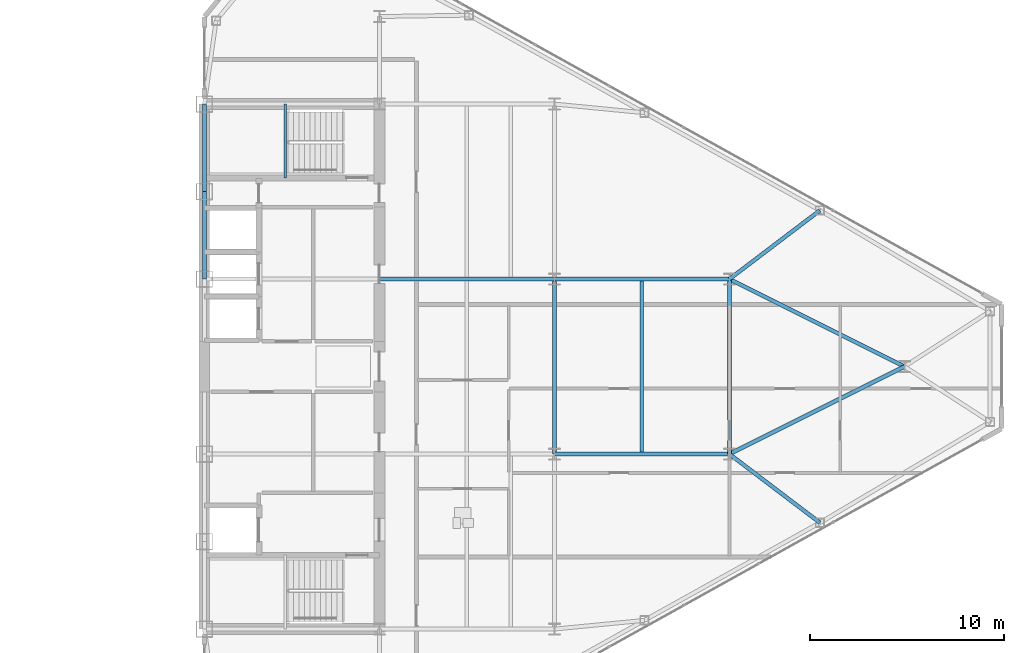
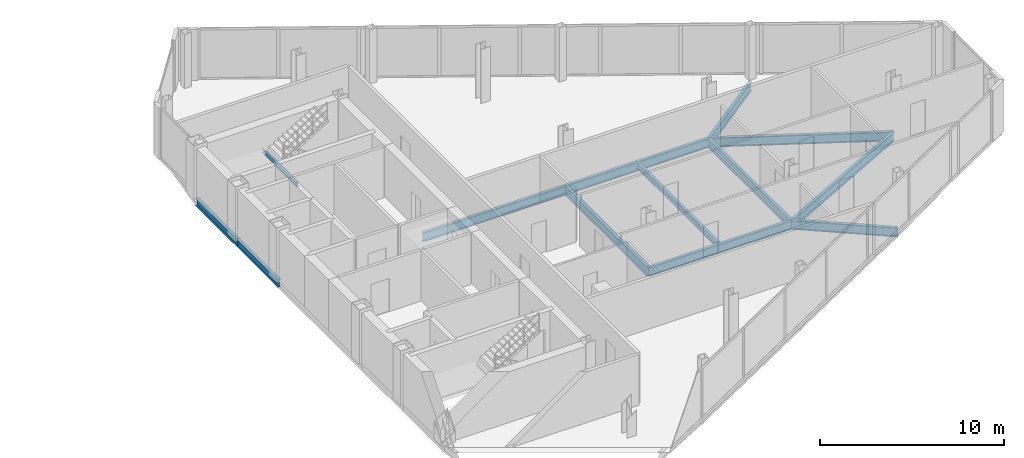
# One storey, part 14 of 25: 13 beams.
"""IFC4 building model written with IfcOpenShell, lengths in metres."""

from ifc_helpers import new_model, si_unit, direction, frame, origin, origin_2d, place, context, subcontext, project, spatial, i_section, extrude, source, transform, mapped, material, material_profile, profile_set, type_object, type_shapes, element, save


model = new_model("IFC4")

# Units and contexts
model_context = context("Model", 3, precision=1e-05, world=origin(), true_north=direction((0.0, 1.0)))
body_context = subcontext(model_context, "Body", "Model", "MODEL_VIEW")
ifc_project = project(units=[si_unit("LENGTHUNIT", "METRE"), si_unit("AREAUNIT", "SQUARE_METRE"), si_unit("VOLUMEUNIT", "CUBIC_METRE"), si_unit("PLANEANGLEUNIT", "RADIAN"), si_unit("MASSUNIT", "GRAM", prefix="KILO")], contexts=[model_context])

# Site, building, storey
site_placement = place(None, origin())
site = spatial("IfcSite", under=ifc_project, at=site_placement, CompositionType="ELEMENT")
building_placement = place(site_placement, origin())
building = spatial("IfcBuilding", under=site, at=building_placement, Name="Seokmaru Belvedere", CompositionType="ELEMENT")
storey_placement = place(building_placement, frame((0.0, 0.0, 188.699951171875)))
storey = spatial("IfcBuildingStorey", under=building, at=storey_placement, Name="L50", CompositionType="ELEMENT", Elevation=188.699951171875)

# Beams
ifc_material = material(Name="Steel SM355 (355 MPa)", Category="steel")
ifc_material_profile_1 = material_profile(ifc_material, i_section(OverallWidth=0.199951171875, OverallDepth=0.5, WebThickness=0.010009765625, FlangeThickness=0.01611328125, at=origin_2d()), Name="H-500x200x10x16")
ifc_profile_set_1 = profile_set([ifc_material_profile_1], Name="Steel SM355 (355 MPa)")
beam_type_1 = type_object("IfcBeamType", Name="Perimeter Spandrel Beam H-500", PredefinedType="SPANDREL", material=ifc_profile_set_1)
shared_shape_1 = source(origin(), body_context, "Body", "SweptSolid", [
    extrude(i_section(OverallWidth=0.199951171875, OverallDepth=0.5, WebThickness=0.010009765625, FlangeThickness=0.01611328125, at=origin_2d()), origin(), (0.0, 0.0, 1.0), 4.5),
])
type_shapes(beam_type_1, [shared_shape_1])
for number, where, z_axis, x_axis, name in (
    (1, (27.5, 4.5, -0.469970703125), (0.0, 1.0, 0.0), (-1.0, 0.0, 0.0), "L50 E Portal Spine Spandrel 4"),
    (2, (27.5, 9.0, -0.469970703125), (0.0, 1.0, 0.0), (-1.0, 0.0, 0.0), "L50 E Portal Spine Spandrel 5"),
):
    element("IfcBeam", number, at=place(storey_placement, frame(where, z_axis=z_axis, x_axis=x_axis)), inside=storey, type_object=beam_type_1, Name=name, PredefinedType="SPANDREL", context=body_context, shape_type="MappedRepresentation", body=[
        mapped(shared_shape_1, transform((0.0, 0.0, 0.0), scale=1.0)),
    ])
ifc_material_profile_2 = material_profile(ifc_material, i_section(OverallWidth=0.199951171875, OverallDepth=0.60009765625, WebThickness=0.010986328125, FlangeThickness=0.01708984375, at=origin_2d()), Name="H-600x200x11x17")
ifc_profile_set_2 = profile_set([ifc_material_profile_2], Name="Steel SM355 (355 MPa)")
beam_type_2 = type_object("IfcBeamType", Name="Primary Floor Girder H-600", PredefinedType="BEAM", material=ifc_profile_set_2)
shared_shape_2 = source(origin(), body_context, "Body", "SweptSolid", [
    extrude(i_section(OverallWidth=0.199951171875, OverallDepth=0.60009765625, WebThickness=0.010986328125, FlangeThickness=0.01708984375, at=origin_2d()), origin(), (0.0, 0.0, 1.0), 9.0),
])
for number, where, z_axis, x_axis, name in (
    (3, (45.5, -4.5, -0.52001953125), (0.0, 1.0, 0.0), (-1.0, 0.0, 0.0), "L50 E Interior Grid Girder 2"),
    (4, (36.5, 4.5, -0.52001953125), (1.0, 0.0, 0.0), (0.0, 1.0, 0.0), "L50 E Wing Primary Girder 3"),
    (5, (45.5, -4.5, -0.52001953125), (1.0, 0.0, 0.0), (0.0, 1.0, 0.0), "L50 E Outer Wing Girder 1"),
    (6, (45.5, 4.5, -0.52001953125), (1.0, 0.0, 0.0), (0.0, 1.0, 0.0), "L50 E Outer Wing Girder 2"),
    (7, (54.5, -4.5, -0.52001953125), (0.0, 1.0, 0.0), (-1.0, 0.0, 0.0), "L50 E Apex Frame Girder"),
):
    element("IfcBeam", number, at=place(storey_placement, frame(where, z_axis=z_axis, x_axis=x_axis)), inside=storey, type_object=beam_type_2, Name=name, PredefinedType="BEAM", context=body_context, shape_type="MappedRepresentation", body=[
        mapped(shared_shape_2, transform((0.0, 0.0, 0.0), scale=1.0)),
    ])
shared_shape_3 = source(origin(), body_context, "Body", "SweptSolid", [
    extrude(i_section(OverallWidth=0.199951171875, OverallDepth=0.60009765625, WebThickness=0.010986328125, FlangeThickness=0.01708984375, at=origin_2d()), origin(), (0.0, 0.0, 1.0), 10.062255859375),
])
for number, where, z_axis, x_axis, name in (
    (8, (54.5, -4.5, -0.52001953125), (0.894427191, 0.4472135955, 0.0), (-0.4472135955, 0.894427191, 0.0), "L50 E Apex Converging Girder 1"),
    (9, (54.5, 4.5, -0.52001953125), (0.894427191, -0.4472135955, 0.0), (0.4472135955, 0.894427191, 0.0), "L50 E Apex Converging Girder 2"),
):
    element("IfcBeam", number, at=place(storey_placement, frame(where, z_axis=z_axis, x_axis=x_axis)), inside=storey, type_object=beam_type_2, Name=name, PredefinedType="BEAM", context=body_context, shape_type="MappedRepresentation", body=[
        mapped(shared_shape_3, transform((0.0, 0.0, 0.0), scale=1.0)),
    ])
ifc_material_profile_3 = material_profile(ifc_material, i_section(OverallWidth=0.18505859375, OverallDepth=0.389892578125, WebThickness=0.008056640625, FlangeThickness=0.011962890625, at=origin_2d()), Name="H-390x185x8x12")
ifc_profile_set_3 = profile_set([ifc_material_profile_3], Name="Steel SM355 (355 MPa)")
beam_type_3 = type_object("IfcBeamType", Name="Secondary Floor Joist H-350", PredefinedType="JOIST", material=ifc_profile_set_3)
shared_shape_4 = source(origin(), body_context, "Body", "SweptSolid", [
    extrude(i_section(OverallWidth=0.18505859375, OverallDepth=0.389892578125, WebThickness=0.008056640625, FlangeThickness=0.011962890625, at=origin_2d()), origin(), (0.0, 0.0, 1.0), 8.7900390625),
])
type_shapes(beam_type_3, [shared_shape_4])
beam_1_placement = place(storey_placement, frame((50.0, -4.39501953125, -0.4150390625), z_axis=(0.0, 1.0, 0.0), x_axis=(-1.0, 0.0, 0.0)))
element("IfcBeam", 10, at=beam_1_placement, inside=storey, type_object=beam_type_3, Name="L50 E Outer Bay Secondary Joist", PredefinedType="JOIST", context=body_context, shape_type="MappedRepresentation", body=[
    mapped(shared_shape_4, transform((0.0, 0.0, 0.0), scale=1.0)),
])
shared_shape_5 = source(origin(), body_context, "Body", "SweptSolid", [
    extrude(i_section(OverallWidth=0.199951171875, OverallDepth=0.60009765625, WebThickness=0.010986328125, FlangeThickness=0.01708984375, at=origin_2d()), origin(), (0.0, 0.0, 1.0), 5.842529296875),
])
type_shapes(beam_type_2, [shared_shape_2, shared_shape_3, shared_shape_5])
for number, where, z_axis, x_axis, name in (
    (11, (59.154541015625, -8.031494140625, -0.52001953125), (-0.796653109879, 0.604436781243, 0.0), (-0.604436781243, -0.796653109879, 0.0), "L50 E Flank Radial Floor Girder S-3"),
    (12, (59.154541015625, 8.031494140625, -0.52001953125), (-0.796653109879, -0.604436781243, 0.0), (0.604436781243, -0.796653109879, 0.0), "L50 E Flank Radial Floor Girder N-3"),
):
    element("IfcBeam", number, at=place(storey_placement, frame(where, z_axis=z_axis, x_axis=x_axis)), inside=storey, type_object=beam_type_2, Name=name, PredefinedType="BEAM", context=body_context, shape_type="MappedRepresentation", body=[
        mapped(shared_shape_5, transform((0.0, 0.0, 0.0), scale=1.0)),
    ])
ifc_material_profile_4 = material_profile(ifc_material, i_section(OverallWidth=0.125, OverallDepth=0.25, WebThickness=0.006103515625, FlangeThickness=0.009033203125, at=origin_2d()), Name="H-250x125x6x9")
ifc_profile_set_4 = profile_set([ifc_material_profile_4], Name="Steel SM355 (355 MPa)")
beam_type_4 = type_object("IfcBeamType", Name="Stair Mid-Landing Support Beam H-250", PredefinedType="JOIST", material=ifc_profile_set_4)
shared_shape_6 = source(origin(), body_context, "Body", "SweptSolid", [
    extrude(i_section(OverallWidth=0.125, OverallDepth=0.25, WebThickness=0.006103515625, FlangeThickness=0.009033203125, at=origin_2d()), origin(), (0.0, 0.0, 1.0), 3.800048828125),
])
type_shapes(beam_type_4, [shared_shape_6])
beam_2_placement = place(storey_placement, frame((31.64990234375, 9.699951171875, 1.47509765625), z_axis=(0.0, 1.0, 0.0), x_axis=(-1.0, 0.0, 0.0)))
element("IfcBeam", 13, at=beam_2_placement, inside=storey, type_object=beam_type_4, Name="L50 Stair ST-E2 Mid-Landing Support Beam 1", PredefinedType="JOIST", context=body_context, shape_type="MappedRepresentation", body=[
    mapped(shared_shape_6, transform((0.0, 0.0, 0.0), scale=1.0)),
])

save(model, "model.ifc")
